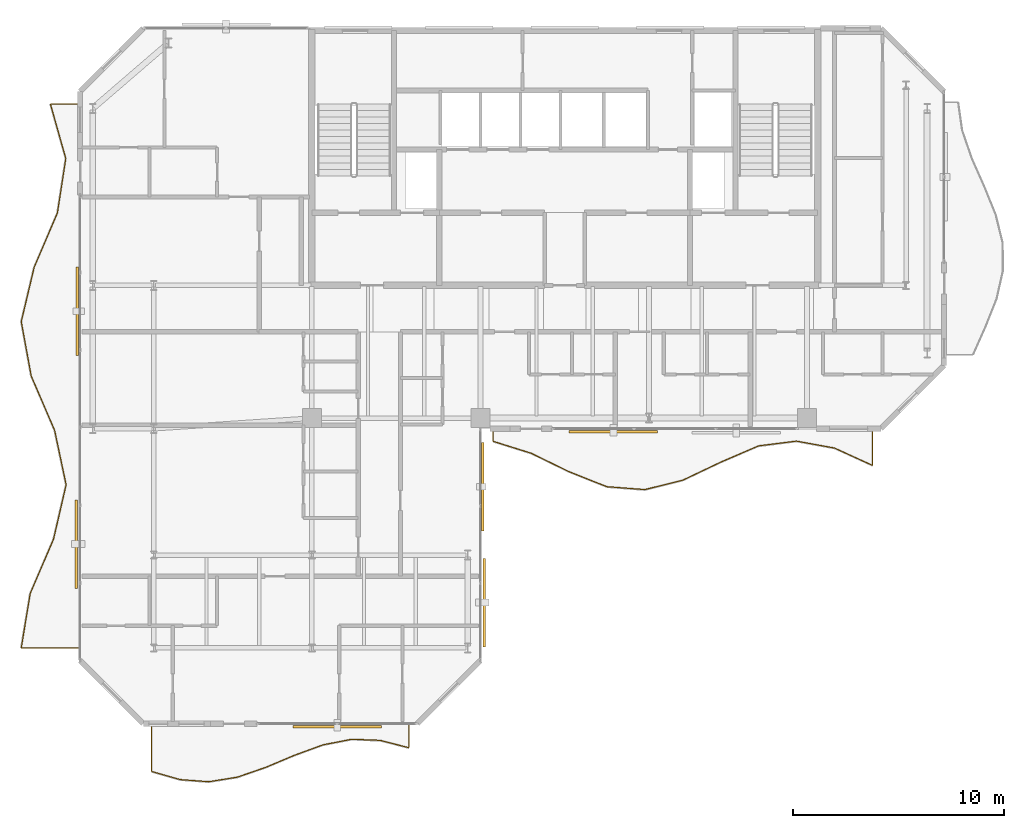
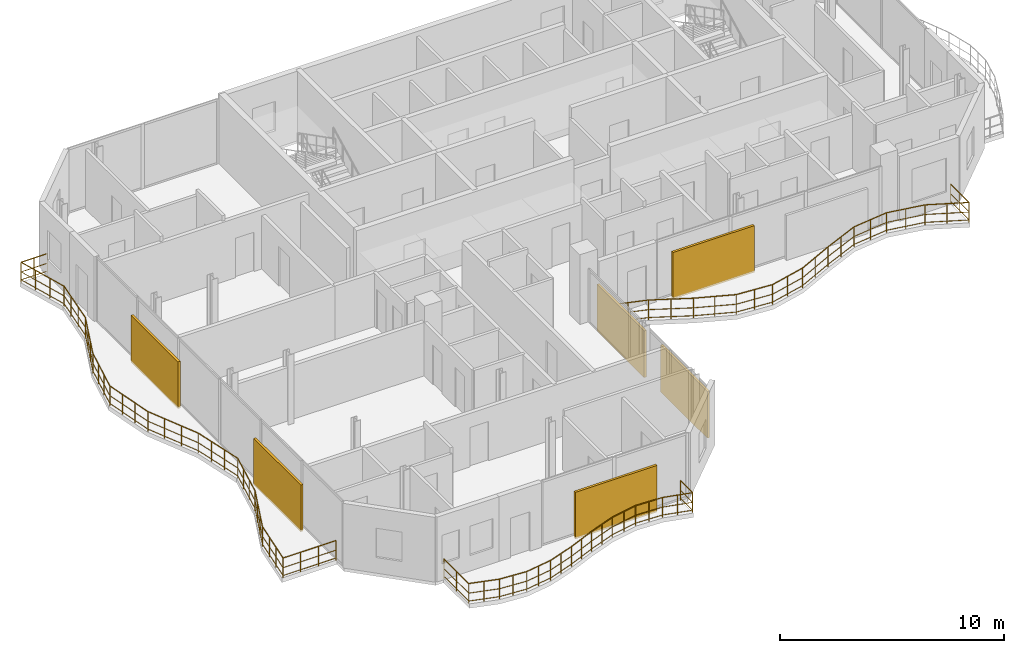
# One storey, part 21 of 22: 6 shading devices, 3 railings.
"""IFC4 building model written with IfcOpenShell, lengths in metres."""

from ifc_helpers import new_model, si_unit, direction, frame, origin, origin_2d, place, context, subcontext, project, spatial, rectangle, circle, extrude, material, type_object, element, save


model = new_model("IFC4")

# Units and contexts
model_context = context("Model", 3, precision=1e-05, world=origin(), true_north=direction((0.0, 1.0)))
body_context = subcontext(model_context, "Body", "Model", "MODEL_VIEW")
ifc_project = project(units=[si_unit("LENGTHUNIT", "METRE"), si_unit("AREAUNIT", "SQUARE_METRE"), si_unit("VOLUMEUNIT", "CUBIC_METRE"), si_unit("PLANEANGLEUNIT", "RADIAN"), si_unit("MASSUNIT", "GRAM", prefix="KILO")], contexts=[model_context])

# Site, building, storey
site_placement = place(None, origin())
site = spatial("IfcSite", under=ifc_project, at=site_placement, CompositionType="ELEMENT")
building_placement = place(site_placement, origin())
building = spatial("IfcBuilding", under=site, at=building_placement, Name="Catumbela Crestline Tower", CompositionType="ELEMENT")
storey_placement = place(building_placement, frame((0.0, 0.0, 229.8)))
storey = spatial("IfcBuildingStorey", under=building, at=storey_placement, Name="L59", CompositionType="ELEMENT", Elevation=229.8)

# Railings
ifc_material_1 = material(Name="Stainless steel EN 1.4401", Category="steel")
railing_type = type_object("IfcRailingType", Name="RB-1100", PredefinedType="BALUSTRADE", material=ifc_material_1)
railing_1_placement = place(storey_placement, frame((24.6, 23.94, 0.0)))
element("IfcRailing", 1, at=railing_1_placement, inside=storey, type_object=railing_type, Name="L59 Private Wave Balcony Balustrade 1", PredefinedType="BALUSTRADE", context=body_context, shape_type="SweptSolid", body=[
    extrude(circle(Radius=0.024, at=origin_2d()), frame((0.0, 0.0, 1.076), z_axis=(0.0, -1.0, 0.0), x_axis=(1.0, 0.0, 0.0)), (0.0, 0.0, 1.0), 0.5387),
    extrude(circle(Radius=0.0156, at=origin_2d()), frame((0.0, 0.0, 0.55), z_axis=(0.0, -1.0, 0.0), x_axis=(1.0, 0.0, 0.0)), (0.0, 0.0, 1.0), 0.5387),
    extrude(circle(Radius=0.0156, at=origin_2d()), frame((0.0, 0.0, 0.12), z_axis=(0.0, -1.0, 0.0), x_axis=(1.0, 0.0, 0.0)), (0.0, 0.0, 1.0), 0.5387),
    extrude(circle(Radius=0.024, at=origin_2d()), frame((0.0, -0.5387, 1.076), z_axis=(0.954374253933, -0.298613099897, 0.0), x_axis=(0.298613099897, 0.954374253933, 0.0)), (0.0, 0.0, 1.0), 1.8861),
    extrude(circle(Radius=0.0156, at=origin_2d()), frame((0.0, -0.5387, 0.55), z_axis=(0.954374253933, -0.298613099897, 0.0), x_axis=(0.298613099897, 0.954374253933, 0.0)), (0.0, 0.0, 1.0), 1.8861),
    extrude(circle(Radius=0.0156, at=origin_2d()), frame((0.0, -0.5387, 0.12), z_axis=(0.954374253933, -0.298613099897, 0.0), x_axis=(0.298613099897, 0.954374253933, 0.0)), (0.0, 0.0, 1.0), 1.8861),
    extrude(circle(Radius=0.024, at=origin_2d()), frame((1.8, -1.1019, 1.076), z_axis=(0.899073055886, -0.437798629714, 0.0), x_axis=(0.437798629714, 0.899073055886, 0.0)), (0.0, 0.0, 1.0), 2.0021),
    extrude(circle(Radius=0.0156, at=origin_2d()), frame((1.8, -1.1019, 0.55), z_axis=(0.899073055886, -0.437798629714, 0.0), x_axis=(0.437798629714, 0.899073055886, 0.0)), (0.0, 0.0, 1.0), 2.0021),
    extrude(circle(Radius=0.0156, at=origin_2d()), frame((1.8, -1.1019, 0.12), z_axis=(0.899073055886, -0.437798629714, 0.0), x_axis=(0.437798629714, 0.899073055886, 0.0)), (0.0, 0.0, 1.0), 2.0021),
    extrude(circle(Radius=0.024, at=origin_2d()), frame((3.6, -1.9784, 1.076), z_axis=(0.929399644581, -0.369074925526, 0.0), x_axis=(0.369074925526, 0.929399644581, 0.0)), (0.0, 0.0, 1.0), 1.9367),
    extrude(circle(Radius=0.0156, at=origin_2d()), frame((3.6, -1.9784, 0.55), z_axis=(0.929399644581, -0.369074925526, 0.0), x_axis=(0.369074925526, 0.929399644581, 0.0)), (0.0, 0.0, 1.0), 1.9367),
    extrude(circle(Radius=0.0156, at=origin_2d()), frame((3.6, -1.9784, 0.12), z_axis=(0.929399644581, -0.369074925526, 0.0), x_axis=(0.369074925526, 0.929399644581, 0.0)), (0.0, 0.0, 1.0), 1.9367),
    extrude(circle(Radius=0.024, at=origin_2d()), frame((5.4, -2.6932, 1.076), z_axis=(0.9971244509, -0.075781458268, 0.0), x_axis=(0.075781458268, 0.9971244509, 0.0)), (0.0, 0.0, 1.0), 1.8052),
    extrude(circle(Radius=0.0156, at=origin_2d()), frame((5.4, -2.6932, 0.55), z_axis=(0.9971244509, -0.075781458268, 0.0), x_axis=(0.075781458268, 0.9971244509, 0.0)), (0.0, 0.0, 1.0), 1.8052),
    extrude(circle(Radius=0.0156, at=origin_2d()), frame((5.4, -2.6932, 0.12), z_axis=(0.9971244509, -0.075781458268, 0.0), x_axis=(0.075781458268, 0.9971244509, 0.0)), (0.0, 0.0, 1.0), 1.8052),
    extrude(circle(Radius=0.024, at=origin_2d()), frame((7.2, -2.83, 1.076), z_axis=(0.97081135802, 0.239844339395, 0.0), x_axis=(-0.239844339395, 0.97081135802, 0.0)), (0.0, 0.0, 1.0), 1.8541),
    extrude(circle(Radius=0.0156, at=origin_2d()), frame((7.2, -2.83, 0.55), z_axis=(0.97081135802, 0.239844339395, 0.0), x_axis=(-0.239844339395, 0.97081135802, 0.0)), (0.0, 0.0, 1.0), 1.8541),
    extrude(circle(Radius=0.0156, at=origin_2d()), frame((7.2, -2.83, 0.12), z_axis=(0.97081135802, 0.239844339395, 0.0), x_axis=(-0.239844339395, 0.97081135802, 0.0)), (0.0, 0.0, 1.0), 1.8541),
    extrude(circle(Radius=0.024, at=origin_2d()), frame((9.0, -2.3853, 1.076), z_axis=(0.903141340366, 0.429343358306, 0.0), x_axis=(-0.429343358306, 0.903141340366, 0.0)), (0.0, 0.0, 1.0), 1.993),
    extrude(circle(Radius=0.0156, at=origin_2d()), frame((9.0, -2.3853, 0.55), z_axis=(0.903141340366, 0.429343358306, 0.0), x_axis=(-0.429343358306, 0.903141340366, 0.0)), (0.0, 0.0, 1.0), 1.993),
    extrude(circle(Radius=0.0156, at=origin_2d()), frame((9.0, -2.3853, 0.12), z_axis=(0.903141340366, 0.429343358306, 0.0), x_axis=(-0.429343358306, 0.903141340366, 0.0)), (0.0, 0.0, 1.0), 1.993),
    extrude(circle(Radius=0.024, at=origin_2d()), frame((10.8, -1.5296, 1.076), z_axis=(0.91863214227, 0.395113891414, 0.0), x_axis=(-0.395113891414, 0.91863214227, 0.0)), (0.0, 0.0, 1.0), 1.9594),
    extrude(circle(Radius=0.0156, at=origin_2d()), frame((10.8, -1.5296, 0.55), z_axis=(0.91863214227, 0.395113891414, 0.0), x_axis=(-0.395113891414, 0.91863214227, 0.0)), (0.0, 0.0, 1.0), 1.9594),
    extrude(circle(Radius=0.0156, at=origin_2d()), frame((10.8, -1.5296, 0.12), z_axis=(0.91863214227, 0.395113891414, 0.0), x_axis=(-0.395113891414, 0.91863214227, 0.0)), (0.0, 0.0, 1.0), 1.9594),
    extrude(circle(Radius=0.024, at=origin_2d()), frame((12.6, -0.7554, 1.076), z_axis=(0.992250714481, 0.124251839469, 0.0), x_axis=(-0.124251839469, 0.992250714481, 0.0)), (0.0, 0.0, 1.0), 1.8141),
    extrude(circle(Radius=0.0156, at=origin_2d()), frame((12.6, -0.7554, 0.55), z_axis=(0.992250714481, 0.124251839469, 0.0), x_axis=(-0.124251839469, 0.992250714481, 0.0)), (0.0, 0.0, 1.0), 1.8141),
    extrude(circle(Radius=0.0156, at=origin_2d()), frame((12.6, -0.7554, 0.12), z_axis=(0.992250714481, 0.124251839469, 0.0), x_axis=(-0.124251839469, 0.992250714481, 0.0)), (0.0, 0.0, 1.0), 1.8141),
    extrude(circle(Radius=0.024, at=origin_2d()), frame((14.4, -0.53, 1.076), z_axis=(0.983751645667, -0.179534675334, 0.0), x_axis=(0.179534675334, 0.983751645667, 0.0)), (0.0, 0.0, 1.0), 1.8297),
    extrude(circle(Radius=0.0156, at=origin_2d()), frame((14.4, -0.53, 0.55), z_axis=(0.983751645667, -0.179534675334, 0.0), x_axis=(0.179534675334, 0.983751645667, 0.0)), (0.0, 0.0, 1.0), 1.8297),
    extrude(circle(Radius=0.0156, at=origin_2d()), frame((14.4, -0.53, 0.12), z_axis=(0.983751645667, -0.179534675334, 0.0), x_axis=(0.179534675334, 0.983751645667, 0.0)), (0.0, 0.0, 1.0), 1.8297),
    extrude(circle(Radius=0.024, at=origin_2d()), frame((16.2, -0.8585, 1.076), z_axis=(0.909733657009, -0.415192332907, 0.0), x_axis=(0.415192332907, 0.909733657009, 0.0)), (0.0, 0.0, 1.0), 1.9786),
    extrude(circle(Radius=0.0156, at=origin_2d()), frame((16.2, -0.8585, 0.55), z_axis=(0.909733657009, -0.415192332907, 0.0), x_axis=(0.415192332907, 0.909733657009, 0.0)), (0.0, 0.0, 1.0), 1.9786),
    extrude(circle(Radius=0.0156, at=origin_2d()), frame((16.2, -0.8585, 0.12), z_axis=(0.909733657009, -0.415192332907, 0.0), x_axis=(0.415192332907, 0.909733657009, 0.0)), (0.0, 0.0, 1.0), 1.9786),
    extrude(circle(Radius=0.024, at=origin_2d()), frame((18.0, -1.68, 1.076), z_axis=(0.0, 1.0, 0.0), x_axis=(-1.0, 0.0, 0.0)), (0.0, 0.0, 1.0), 1.68),
    extrude(circle(Radius=0.0156, at=origin_2d()), frame((18.0, -1.68, 0.55), z_axis=(0.0, 1.0, 0.0), x_axis=(-1.0, 0.0, 0.0)), (0.0, 0.0, 1.0), 1.68),
    extrude(circle(Radius=0.0156, at=origin_2d()), frame((18.0, -1.68, 0.12), z_axis=(0.0, 1.0, 0.0), x_axis=(-1.0, 0.0, 0.0)), (0.0, 0.0, 1.0), 1.68),
    extrude(circle(Radius=0.021, at=origin_2d()), origin(), (0.0, 0.0, 1.0), 1.052),
    extrude(circle(Radius=0.021, at=origin_2d()), frame((0.0, -0.5387, 0.0)), (0.0, 0.0, 1.0), 1.052),
    extrude(circle(Radius=0.021, at=origin_2d()), frame((0.9, -0.8203, 0.0)), (0.0, 0.0, 1.0), 1.052),
    extrude(circle(Radius=0.021, at=origin_2d()), frame((1.8, -1.1019, 0.0)), (0.0, 0.0, 1.0), 1.052),
    extrude(circle(Radius=0.021, at=origin_2d()), frame((2.7, -1.5402, 0.0)), (0.0, 0.0, 1.0), 1.052),
    extrude(circle(Radius=0.021, at=origin_2d()), frame((3.6, -1.9784, 0.0)), (0.0, 0.0, 1.0), 1.052),
    extrude(circle(Radius=0.021, at=origin_2d()), frame((4.5, -2.3358, 0.0)), (0.0, 0.0, 1.0), 1.052),
    extrude(circle(Radius=0.021, at=origin_2d()), frame((5.4, -2.6932, 0.0)), (0.0, 0.0, 1.0), 1.052),
    extrude(circle(Radius=0.021, at=origin_2d()), frame((6.3, -2.7616, 0.0)), (0.0, 0.0, 1.0), 1.052),
    extrude(circle(Radius=0.021, at=origin_2d()), frame((7.2, -2.83, 0.0)), (0.0, 0.0, 1.0), 1.052),
    extrude(circle(Radius=0.021, at=origin_2d()), frame((8.1, -2.6077, 0.0)), (0.0, 0.0, 1.0), 1.052),
    extrude(circle(Radius=0.021, at=origin_2d()), frame((9.0, -2.3853, 0.0)), (0.0, 0.0, 1.0), 1.052),
    extrude(circle(Radius=0.021, at=origin_2d()), frame((9.9, -1.9575, 0.0)), (0.0, 0.0, 1.0), 1.052),
    extrude(circle(Radius=0.021, at=origin_2d()), frame((10.8, -1.5296, 0.0)), (0.0, 0.0, 1.0), 1.052),
    extrude(circle(Radius=0.021, at=origin_2d()), frame((11.7, -1.1425, 0.0)), (0.0, 0.0, 1.0), 1.052),
    extrude(circle(Radius=0.021, at=origin_2d()), frame((12.6, -0.7554, 0.0)), (0.0, 0.0, 1.0), 1.052),
    extrude(circle(Radius=0.021, at=origin_2d()), frame((13.5, -0.6427, 0.0)), (0.0, 0.0, 1.0), 1.052),
    extrude(circle(Radius=0.021, at=origin_2d()), frame((14.4, -0.53, 0.0)), (0.0, 0.0, 1.0), 1.052),
    extrude(circle(Radius=0.021, at=origin_2d()), frame((15.3, -0.6943, 0.0)), (0.0, 0.0, 1.0), 1.052),
    extrude(circle(Radius=0.021, at=origin_2d()), frame((16.2, -0.8585, 0.0)), (0.0, 0.0, 1.0), 1.052),
    extrude(circle(Radius=0.021, at=origin_2d()), frame((17.1, -1.2693, 0.0)), (0.0, 0.0, 1.0), 1.052),
    extrude(circle(Radius=0.021, at=origin_2d()), frame((18.0, -1.68, 0.0)), (0.0, 0.0, 1.0), 1.052),
    extrude(circle(Radius=0.021, at=origin_2d()), frame((18.0, -0.84, 0.0)), (0.0, 0.0, 1.0), 1.052),
    extrude(circle(Radius=0.021, at=origin_2d()), frame((18.0, 0.0, 0.0)), (0.0, 0.0, 1.0), 1.052),
])
railing_2_placement = place(storey_placement, frame((8.4, 9.94, 0.0)))
element("IfcRailing", 2, at=railing_2_placement, inside=storey, type_object=railing_type, Name="L59 Private Wave Balcony Balustrade 3", PredefinedType="BALUSTRADE", context=body_context, shape_type="SweptSolid", body=[
    extrude(circle(Radius=0.024, at=origin_2d()), frame((0.0, 0.0, 1.076), z_axis=(0.0, -1.0, 0.0), x_axis=(1.0, 0.0, 0.0)), (0.0, 0.0, 1.0), 2.2074),
    extrude(circle(Radius=0.0156, at=origin_2d()), frame((0.0, 0.0, 0.55), z_axis=(0.0, -1.0, 0.0), x_axis=(1.0, 0.0, 0.0)), (0.0, 0.0, 1.0), 2.2074),
    extrude(circle(Radius=0.0156, at=origin_2d()), frame((0.0, 0.0, 0.12), z_axis=(0.0, -1.0, 0.0), x_axis=(1.0, 0.0, 0.0)), (0.0, 0.0, 1.0), 2.2074),
    extrude(circle(Radius=0.024, at=origin_2d()), frame((0.0, -2.2074, 1.076), z_axis=(0.961638970594, -0.274318228038, 0.0), x_axis=(0.274318228038, 0.961638970594, 0.0)), (0.0, 0.0, 1.0), 1.4097),
    extrude(circle(Radius=0.0156, at=origin_2d()), frame((0.0, -2.2074, 0.55), z_axis=(0.961638970594, -0.274318228038, 0.0), x_axis=(0.274318228038, 0.961638970594, 0.0)), (0.0, 0.0, 1.0), 1.4097),
    extrude(circle(Radius=0.0156, at=origin_2d()), frame((0.0, -2.2074, 0.12), z_axis=(0.961638970594, -0.274318228038, 0.0), x_axis=(0.274318228038, 0.961638970594, 0.0)), (0.0, 0.0, 1.0), 1.4097),
    extrude(circle(Radius=0.024, at=origin_2d()), frame((1.3556, -2.5941, 1.076), z_axis=(0.997295187755, -0.073500397829, 0.0), x_axis=(0.073500397829, 0.997295187755, 0.0)), (0.0, 0.0, 1.0), 1.3592),
    extrude(circle(Radius=0.0156, at=origin_2d()), frame((1.3556, -2.5941, 0.55), z_axis=(0.997295187755, -0.073500397829, 0.0), x_axis=(0.073500397829, 0.997295187755, 0.0)), (0.0, 0.0, 1.0), 1.3592),
    extrude(circle(Radius=0.0156, at=origin_2d()), frame((1.3556, -2.5941, 0.12), z_axis=(0.997295187755, -0.073500397829, 0.0), x_axis=(0.073500397829, 0.997295187755, 0.0)), (0.0, 0.0, 1.0), 1.3592),
    extrude(circle(Radius=0.024, at=origin_2d()), frame((2.7111, -2.694, 1.076), z_axis=(0.987280607488, 0.158987427423, 0.0), x_axis=(-0.158987427423, 0.987280607488, 0.0)), (0.0, 0.0, 1.0), 1.3731),
    extrude(circle(Radius=0.0156, at=origin_2d()), frame((2.7111, -2.694, 0.55), z_axis=(0.987280607488, 0.158987427423, 0.0), x_axis=(-0.158987427423, 0.987280607488, 0.0)), (0.0, 0.0, 1.0), 1.3731),
    extrude(circle(Radius=0.0156, at=origin_2d()), frame((2.7111, -2.694, 0.12), z_axis=(0.987280607488, 0.158987427423, 0.0), x_axis=(-0.158987427423, 0.987280607488, 0.0)), (0.0, 0.0, 1.0), 1.3731),
    extrude(circle(Radius=0.024, at=origin_2d()), frame((4.0667, -2.4757, 1.076), z_axis=(0.945225416376, 0.326418308673, 0.0), x_axis=(-0.326418308673, 0.945225416376, 0.0)), (0.0, 0.0, 1.0), 1.434),
    extrude(circle(Radius=0.0156, at=origin_2d()), frame((4.0667, -2.4757, 0.55), z_axis=(0.945225416376, 0.326418308673, 0.0), x_axis=(-0.326418308673, 0.945225416376, 0.0)), (0.0, 0.0, 1.0), 1.434),
    extrude(circle(Radius=0.0156, at=origin_2d()), frame((4.0667, -2.4757, 0.12), z_axis=(0.945225416376, 0.326418308673, 0.0), x_axis=(-0.326418308673, 0.945225416376, 0.0)), (0.0, 0.0, 1.0), 1.434),
    extrude(circle(Radius=0.024, at=origin_2d()), frame((5.4222, -2.0076, 1.076), z_axis=(0.92160593894, 0.388126903615, 0.0), x_axis=(-0.388126903615, 0.92160593894, 0.0)), (0.0, 0.0, 1.0), 1.4709),
    extrude(circle(Radius=0.0156, at=origin_2d()), frame((5.4222, -2.0076, 0.55), z_axis=(0.92160593894, 0.388126903615, 0.0), x_axis=(-0.388126903615, 0.92160593894, 0.0)), (0.0, 0.0, 1.0), 1.4709),
    extrude(circle(Radius=0.0156, at=origin_2d()), frame((5.4222, -2.0076, 0.12), z_axis=(0.92160593894, 0.388126903615, 0.0), x_axis=(-0.388126903615, 0.92160593894, 0.0)), (0.0, 0.0, 1.0), 1.4709),
    extrude(circle(Radius=0.024, at=origin_2d()), frame((6.7778, -1.4367, 1.076), z_axis=(0.939438802218, 0.342716700625, 0.0), x_axis=(-0.342716700625, 0.939438802218, 0.0)), (0.0, 0.0, 1.0), 1.4429),
    extrude(circle(Radius=0.0156, at=origin_2d()), frame((6.7778, -1.4367, 0.55), z_axis=(0.939438802218, 0.342716700625, 0.0), x_axis=(-0.342716700625, 0.939438802218, 0.0)), (0.0, 0.0, 1.0), 1.4429),
    extrude(circle(Radius=0.0156, at=origin_2d()), frame((6.7778, -1.4367, 0.12), z_axis=(0.939438802218, 0.342716700625, 0.0), x_axis=(-0.342716700625, 0.939438802218, 0.0)), (0.0, 0.0, 1.0), 1.4429),
    extrude(circle(Radius=0.024, at=origin_2d()), frame((8.1333, -0.9422, 1.076), z_axis=(0.981695205488, 0.190458718681, 0.0), x_axis=(-0.190458718681, 0.981695205488, 0.0)), (0.0, 0.0, 1.0), 1.3809),
    extrude(circle(Radius=0.0156, at=origin_2d()), frame((8.1333, -0.9422, 0.55), z_axis=(0.981695205488, 0.190458718681, 0.0), x_axis=(-0.190458718681, 0.981695205488, 0.0)), (0.0, 0.0, 1.0), 1.3809),
    extrude(circle(Radius=0.0156, at=origin_2d()), frame((8.1333, -0.9422, 0.12), z_axis=(0.981695205488, 0.190458718681, 0.0), x_axis=(-0.190458718681, 0.981695205488, 0.0)), (0.0, 0.0, 1.0), 1.3809),
    extrude(circle(Radius=0.024, at=origin_2d()), frame((9.4889, -0.6792, 1.076), z_axis=(0.999290176847, -0.03767150722, 0.0), x_axis=(0.03767150722, 0.999290176847, 0.0)), (0.0, 0.0, 1.0), 1.3565),
    extrude(circle(Radius=0.0156, at=origin_2d()), frame((9.4889, -0.6792, 0.55), z_axis=(0.999290176847, -0.03767150722, 0.0), x_axis=(0.03767150722, 0.999290176847, 0.0)), (0.0, 0.0, 1.0), 1.3565),
    extrude(circle(Radius=0.0156, at=origin_2d()), frame((9.4889, -0.6792, 0.12), z_axis=(0.999290176847, -0.03767150722, 0.0), x_axis=(0.03767150722, 0.999290176847, 0.0)), (0.0, 0.0, 1.0), 1.3565),
    extrude(circle(Radius=0.024, at=origin_2d()), frame((10.8444, -0.7303, 1.076), z_axis=(0.968386510781, -0.249454536415, 0.0), x_axis=(0.249454536415, 0.968386510781, 0.0)), (0.0, 0.0, 1.0), 1.3999),
    extrude(circle(Radius=0.0156, at=origin_2d()), frame((10.8444, -0.7303, 0.55), z_axis=(0.968386510781, -0.249454536415, 0.0), x_axis=(0.249454536415, 0.968386510781, 0.0)), (0.0, 0.0, 1.0), 1.3999),
    extrude(circle(Radius=0.0156, at=origin_2d()), frame((10.8444, -0.7303, 0.12), z_axis=(0.968386510781, -0.249454536415, 0.0), x_axis=(0.249454536415, 0.968386510781, 0.0)), (0.0, 0.0, 1.0), 1.3999),
    extrude(circle(Radius=0.024, at=origin_2d()), frame((12.2, -1.0795, 1.076), z_axis=(0.0, 1.0, 0.0), x_axis=(-1.0, 0.0, 0.0)), (0.0, 0.0, 1.0), 1.0795),
    extrude(circle(Radius=0.0156, at=origin_2d()), frame((12.2, -1.0795, 0.55), z_axis=(0.0, 1.0, 0.0), x_axis=(-1.0, 0.0, 0.0)), (0.0, 0.0, 1.0), 1.0795),
    extrude(circle(Radius=0.0156, at=origin_2d()), frame((12.2, -1.0795, 0.12), z_axis=(0.0, 1.0, 0.0), x_axis=(-1.0, 0.0, 0.0)), (0.0, 0.0, 1.0), 1.0795),
    extrude(circle(Radius=0.021, at=origin_2d()), origin(), (0.0, 0.0, 1.0), 1.052),
    extrude(circle(Radius=0.021, at=origin_2d()), frame((0.0, -1.1037, 0.0)), (0.0, 0.0, 1.0), 1.052),
    extrude(circle(Radius=0.021, at=origin_2d()), frame((0.0, -2.2074, 0.0)), (0.0, 0.0, 1.0), 1.052),
    extrude(circle(Radius=0.021, at=origin_2d()), frame((0.6778, -2.4007, 0.0)), (0.0, 0.0, 1.0), 1.052),
    extrude(circle(Radius=0.021, at=origin_2d()), frame((1.3556, -2.5941, 0.0)), (0.0, 0.0, 1.0), 1.052),
    extrude(circle(Radius=0.021, at=origin_2d()), frame((2.0333, -2.644, 0.0)), (0.0, 0.0, 1.0), 1.052),
    extrude(circle(Radius=0.021, at=origin_2d()), frame((2.7111, -2.694, 0.0)), (0.0, 0.0, 1.0), 1.052),
    extrude(circle(Radius=0.021, at=origin_2d()), frame((3.3889, -2.5848, 0.0)), (0.0, 0.0, 1.0), 1.052),
    extrude(circle(Radius=0.021, at=origin_2d()), frame((4.0667, -2.4757, 0.0)), (0.0, 0.0, 1.0), 1.052),
    extrude(circle(Radius=0.021, at=origin_2d()), frame((4.7444, -2.2416, 0.0)), (0.0, 0.0, 1.0), 1.052),
    extrude(circle(Radius=0.021, at=origin_2d()), frame((5.4222, -2.0076, 0.0)), (0.0, 0.0, 1.0), 1.052),
    extrude(circle(Radius=0.021, at=origin_2d()), frame((6.1, -1.7221, 0.0)), (0.0, 0.0, 1.0), 1.052),
    extrude(circle(Radius=0.021, at=origin_2d()), frame((6.7778, -1.4367, 0.0)), (0.0, 0.0, 1.0), 1.052),
    extrude(circle(Radius=0.021, at=origin_2d()), frame((7.4556, -1.1894, 0.0)), (0.0, 0.0, 1.0), 1.052),
    extrude(circle(Radius=0.021, at=origin_2d()), frame((8.1333, -0.9422, 0.0)), (0.0, 0.0, 1.0), 1.052),
    extrude(circle(Radius=0.021, at=origin_2d()), frame((8.8111, -0.8107, 0.0)), (0.0, 0.0, 1.0), 1.052),
    extrude(circle(Radius=0.021, at=origin_2d()), frame((9.4889, -0.6792, 0.0)), (0.0, 0.0, 1.0), 1.052),
    extrude(circle(Radius=0.021, at=origin_2d()), frame((10.1666, -0.7047, 0.0)), (0.0, 0.0, 1.0), 1.052),
    extrude(circle(Radius=0.021, at=origin_2d()), frame((10.8444, -0.7303, 0.0)), (0.0, 0.0, 1.0), 1.052),
    extrude(circle(Radius=0.021, at=origin_2d()), frame((11.5222, -0.9049, 0.0)), (0.0, 0.0, 1.0), 1.052),
    extrude(circle(Radius=0.021, at=origin_2d()), frame((12.2, -1.0795, 0.0)), (0.0, 0.0, 1.0), 1.052),
    extrude(circle(Radius=0.021, at=origin_2d()), frame((12.2, 0.0, 0.0)), (0.0, 0.0, 1.0), 1.052),
])
railing_3_placement = place(storey_placement, frame((4.94, 39.4, 0.0)))
element("IfcRailing", 3, at=railing_3_placement, inside=storey, type_object=railing_type, Name="L59 Private Wave Balcony Balustrade 4", PredefinedType="BALUSTRADE", context=body_context, shape_type="SweptSolid", body=[
    extrude(circle(Radius=0.024, at=origin_2d()), frame((0.0, 0.0, 1.076), z_axis=(-1.0, 0.0, 0.0), x_axis=(0.0, -1.0, 0.0)), (0.0, 0.0, 1.0), 1.3444),
    extrude(circle(Radius=0.0156, at=origin_2d()), frame((0.0, 0.0, 0.55), z_axis=(-1.0, 0.0, 0.0), x_axis=(0.0, -1.0, 0.0)), (0.0, 0.0, 1.0), 1.3444),
    extrude(circle(Radius=0.0156, at=origin_2d()), frame((0.0, 0.0, 0.12), z_axis=(-1.0, 0.0, 0.0), x_axis=(0.0, -1.0, 0.0)), (0.0, 0.0, 1.0), 1.3444),
    extrude(circle(Radius=0.024, at=origin_2d()), frame((-1.3444, 0.0, 1.076), z_axis=(0.271601035505, -0.962409932156, 0.0), x_axis=(0.962409932156, 0.271601035505, 0.0)), (0.0, 0.0, 1.0), 2.6808),
    extrude(circle(Radius=0.0156, at=origin_2d()), frame((-1.3444, 0.0, 0.55), z_axis=(0.271601035505, -0.962409932156, 0.0), x_axis=(0.962409932156, 0.271601035505, 0.0)), (0.0, 0.0, 1.0), 2.6808),
    extrude(circle(Radius=0.0156, at=origin_2d()), frame((-1.3444, 0.0, 0.12), z_axis=(0.271601035505, -0.962409932156, 0.0), x_axis=(0.962409932156, 0.271601035505, 0.0)), (0.0, 0.0, 1.0), 2.6808),
    extrude(circle(Radius=0.024, at=origin_2d()), frame((-0.6163, -2.58, 1.076), z_axis=(-0.152422749133, -0.988315387691, 0.0), x_axis=(0.988315387691, -0.152422749133, 0.0)), (0.0, 0.0, 1.0), 2.6105),
    extrude(circle(Radius=0.0156, at=origin_2d()), frame((-0.6163, -2.58, 0.55), z_axis=(-0.152422749133, -0.988315387691, 0.0), x_axis=(0.988315387691, -0.152422749133, 0.0)), (0.0, 0.0, 1.0), 2.6105),
    extrude(circle(Radius=0.0156, at=origin_2d()), frame((-0.6163, -2.58, 0.12), z_axis=(-0.152422749133, -0.988315387691, 0.0), x_axis=(0.988315387691, -0.152422749133, 0.0)), (0.0, 0.0, 1.0), 2.6105),
    extrude(circle(Radius=0.024, at=origin_2d()), frame((-1.0142, -5.16, 1.076), z_axis=(-0.393011494217, -0.919533558612, 0.0), x_axis=(0.919533558612, -0.393011494217, 0.0)), (0.0, 0.0, 1.0), 2.8058),
    extrude(circle(Radius=0.0156, at=origin_2d()), frame((-1.0142, -5.16, 0.55), z_axis=(-0.393011494217, -0.919533558612, 0.0), x_axis=(0.919533558612, -0.393011494217, 0.0)), (0.0, 0.0, 1.0), 2.8058),
    extrude(circle(Radius=0.0156, at=origin_2d()), frame((-1.0142, -5.16, 0.12), z_axis=(-0.393011494217, -0.919533558612, 0.0), x_axis=(0.919533558612, -0.393011494217, 0.0)), (0.0, 0.0, 1.0), 2.8058),
    extrude(circle(Radius=0.024, at=origin_2d()), frame((-2.1169, -7.74, 1.076), z_axis=(-0.231197365193, -0.972906870326, 0.0), x_axis=(0.972906870326, -0.231197365193, 0.0)), (0.0, 0.0, 1.0), 2.6518),
    extrude(circle(Radius=0.0156, at=origin_2d()), frame((-2.1169, -7.74, 0.55), z_axis=(-0.231197365193, -0.972906870326, 0.0), x_axis=(0.972906870326, -0.231197365193, 0.0)), (0.0, 0.0, 1.0), 2.6518),
    extrude(circle(Radius=0.0156, at=origin_2d()), frame((-2.1169, -7.74, 0.12), z_axis=(-0.231197365193, -0.972906870326, 0.0), x_axis=(0.972906870326, -0.231197365193, 0.0)), (0.0, 0.0, 1.0), 2.6518),
    extrude(circle(Radius=0.024, at=origin_2d()), frame((-2.73, -10.32, 1.076), z_axis=(0.180290983918, -0.9836133189, 0.0), x_axis=(0.9836133189, 0.180290983918, 0.0)), (0.0, 0.0, 1.0), 2.623),
    extrude(circle(Radius=0.0156, at=origin_2d()), frame((-2.73, -10.32, 0.55), z_axis=(0.180290983918, -0.9836133189, 0.0), x_axis=(0.9836133189, 0.180290983918, 0.0)), (0.0, 0.0, 1.0), 2.623),
    extrude(circle(Radius=0.0156, at=origin_2d()), frame((-2.73, -10.32, 0.12), z_axis=(0.180290983918, -0.9836133189, 0.0), x_axis=(0.9836133189, 0.180290983918, 0.0)), (0.0, 0.0, 1.0), 2.623),
    extrude(circle(Radius=0.024, at=origin_2d()), frame((-2.2571, -12.9, 1.076), z_axis=(0.395478371758, -0.918475289527, 0.0), x_axis=(0.918475289527, 0.395478371758, 0.0)), (0.0, 0.0, 1.0), 2.809),
    extrude(circle(Radius=0.0156, at=origin_2d()), frame((-2.2571, -12.9, 0.55), z_axis=(0.395478371758, -0.918475289527, 0.0), x_axis=(0.918475289527, 0.395478371758, 0.0)), (0.0, 0.0, 1.0), 2.809),
    extrude(circle(Radius=0.0156, at=origin_2d()), frame((-2.2571, -12.9, 0.12), z_axis=(0.395478371758, -0.918475289527, 0.0), x_axis=(0.918475289527, 0.395478371758, 0.0)), (0.0, 0.0, 1.0), 2.809),
    extrude(circle(Radius=0.024, at=origin_2d()), frame((-1.1462, -15.48, 1.076), z_axis=(0.206969759104, -0.978347340578, 0.0), x_axis=(0.978347340578, 0.206969759104, 0.0)), (0.0, 0.0, 1.0), 2.6371),
    extrude(circle(Radius=0.0156, at=origin_2d()), frame((-1.1462, -15.48, 0.55), z_axis=(0.206969759104, -0.978347340578, 0.0), x_axis=(0.978347340578, 0.206969759104, 0.0)), (0.0, 0.0, 1.0), 2.6371),
    extrude(circle(Radius=0.0156, at=origin_2d()), frame((-1.1462, -15.48, 0.12), z_axis=(0.206969759104, -0.978347340578, 0.0), x_axis=(0.978347340578, 0.206969759104, 0.0)), (0.0, 0.0, 1.0), 2.6371),
    extrude(circle(Radius=0.024, at=origin_2d()), frame((-0.6004, -18.06, 1.076), z_axis=(-0.225474466717, -0.974249077423, 0.0), x_axis=(0.974249077423, -0.225474466717, 0.0)), (0.0, 0.0, 1.0), 2.6482),
    extrude(circle(Radius=0.0156, at=origin_2d()), frame((-0.6004, -18.06, 0.55), z_axis=(-0.225474466717, -0.974249077423, 0.0), x_axis=(0.974249077423, -0.225474466717, 0.0)), (0.0, 0.0, 1.0), 2.6482),
    extrude(circle(Radius=0.0156, at=origin_2d()), frame((-0.6004, -18.06, 0.12), z_axis=(-0.225474466717, -0.974249077423, 0.0), x_axis=(0.974249077423, -0.225474466717, 0.0)), (0.0, 0.0, 1.0), 2.6482),
    extrude(circle(Radius=0.024, at=origin_2d()), frame((-1.1975, -20.64, 1.076), z_axis=(-0.394546773673, -0.918875858527, 0.0), x_axis=(0.918875858527, -0.394546773673, 0.0)), (0.0, 0.0, 1.0), 2.8078),
    extrude(circle(Radius=0.0156, at=origin_2d()), frame((-1.1975, -20.64, 0.55), z_axis=(-0.394546773673, -0.918875858527, 0.0), x_axis=(0.918875858527, -0.394546773673, 0.0)), (0.0, 0.0, 1.0), 2.8078),
    extrude(circle(Radius=0.0156, at=origin_2d()), frame((-1.1975, -20.64, 0.12), z_axis=(-0.394546773673, -0.918875858527, 0.0), x_axis=(0.918875858527, -0.394546773673, 0.0)), (0.0, 0.0, 1.0), 2.8078),
    extrude(circle(Radius=0.024, at=origin_2d()), frame((-2.3053, -23.22, 1.076), z_axis=(-0.162426457776, -0.98672065237, 0.0), x_axis=(0.98672065237, -0.162426457776, 0.0)), (0.0, 0.0, 1.0), 2.6147),
    extrude(circle(Radius=0.0156, at=origin_2d()), frame((-2.3053, -23.22, 0.55), z_axis=(-0.162426457776, -0.98672065237, 0.0), x_axis=(0.98672065237, -0.162426457776, 0.0)), (0.0, 0.0, 1.0), 2.6147),
    extrude(circle(Radius=0.0156, at=origin_2d()), frame((-2.3053, -23.22, 0.12), z_axis=(-0.162426457776, -0.98672065237, 0.0), x_axis=(0.98672065237, -0.162426457776, 0.0)), (0.0, 0.0, 1.0), 2.6147),
    extrude(circle(Radius=0.024, at=origin_2d()), frame((-2.73, -25.8, 1.076), z_axis=(1.0, 0.0, 0.0), x_axis=(0.0, 1.0, 0.0)), (0.0, 0.0, 1.0), 2.73),
    extrude(circle(Radius=0.0156, at=origin_2d()), frame((-2.73, -25.8, 0.55), z_axis=(1.0, 0.0, 0.0), x_axis=(0.0, 1.0, 0.0)), (0.0, 0.0, 1.0), 2.73),
    extrude(circle(Radius=0.0156, at=origin_2d()), frame((-2.73, -25.8, 0.12), z_axis=(1.0, 0.0, 0.0), x_axis=(0.0, 1.0, 0.0)), (0.0, 0.0, 1.0), 2.73),
    extrude(circle(Radius=0.021, at=origin_2d()), origin(), (0.0, 0.0, 1.0), 1.052),
    extrude(circle(Radius=0.021, at=origin_2d()), frame((-0.6722, 0.0, 0.0)), (0.0, 0.0, 1.0), 1.052),
    extrude(circle(Radius=0.021, at=origin_2d()), frame((-1.3444, 0.0, 0.0)), (0.0, 0.0, 1.0), 1.052),
    extrude(circle(Radius=0.021, at=origin_2d()), frame((-1.1017, -0.86, 0.0)), (0.0, 0.0, 1.0), 1.052),
    extrude(circle(Radius=0.021, at=origin_2d()), frame((-0.859, -1.72, 0.0)), (0.0, 0.0, 1.0), 1.052),
    extrude(circle(Radius=0.021, at=origin_2d()), frame((-0.6163, -2.58, 0.0)), (0.0, 0.0, 1.0), 1.052),
    extrude(circle(Radius=0.021, at=origin_2d()), frame((-0.7489, -3.44, 0.0)), (0.0, 0.0, 1.0), 1.052),
    extrude(circle(Radius=0.021, at=origin_2d()), frame((-0.8816, -4.3, 0.0)), (0.0, 0.0, 1.0), 1.052),
    extrude(circle(Radius=0.021, at=origin_2d()), frame((-1.0142, -5.16, 0.0)), (0.0, 0.0, 1.0), 1.052),
    extrude(circle(Radius=0.021, at=origin_2d()), frame((-1.3818, -6.02, 0.0)), (0.0, 0.0, 1.0), 1.052),
    extrude(circle(Radius=0.021, at=origin_2d()), frame((-1.7493, -6.88, 0.0)), (0.0, 0.0, 1.0), 1.052),
    extrude(circle(Radius=0.021, at=origin_2d()), frame((-2.1169, -7.74, 0.0)), (0.0, 0.0, 1.0), 1.052),
    extrude(circle(Radius=0.021, at=origin_2d()), frame((-2.3213, -8.6, 0.0)), (0.0, 0.0, 1.0), 1.052),
    extrude(circle(Radius=0.021, at=origin_2d()), frame((-2.5256, -9.46, 0.0)), (0.0, 0.0, 1.0), 1.052),
    extrude(circle(Radius=0.021, at=origin_2d()), frame((-2.73, -10.32, 0.0)), (0.0, 0.0, 1.0), 1.052),
    extrude(circle(Radius=0.021, at=origin_2d()), frame((-2.5724, -11.18, 0.0)), (0.0, 0.0, 1.0), 1.052),
    extrude(circle(Radius=0.021, at=origin_2d()), frame((-2.4147, -12.04, 0.0)), (0.0, 0.0, 1.0), 1.052),
    extrude(circle(Radius=0.021, at=origin_2d()), frame((-2.2571, -12.9, 0.0)), (0.0, 0.0, 1.0), 1.052),
    extrude(circle(Radius=0.021, at=origin_2d()), frame((-1.8868, -13.76, 0.0)), (0.0, 0.0, 1.0), 1.052),
    extrude(circle(Radius=0.021, at=origin_2d()), frame((-1.5165, -14.62, 0.0)), (0.0, 0.0, 1.0), 1.052),
    extrude(circle(Radius=0.021, at=origin_2d()), frame((-1.1462, -15.48, 0.0)), (0.0, 0.0, 1.0), 1.052),
    extrude(circle(Radius=0.021, at=origin_2d()), frame((-0.9643, -16.34, 0.0)), (0.0, 0.0, 1.0), 1.052),
    extrude(circle(Radius=0.021, at=origin_2d()), frame((-0.7823, -17.2, 0.0)), (0.0, 0.0, 1.0), 1.052),
    extrude(circle(Radius=0.021, at=origin_2d()), frame((-0.6004, -18.06, 0.0)), (0.0, 0.0, 1.0), 1.052),
    extrude(circle(Radius=0.021, at=origin_2d()), frame((-0.7994, -18.92, 0.0)), (0.0, 0.0, 1.0), 1.052),
    extrude(circle(Radius=0.021, at=origin_2d()), frame((-0.9985, -19.78, 0.0)), (0.0, 0.0, 1.0), 1.052),
    extrude(circle(Radius=0.021, at=origin_2d()), frame((-1.1975, -20.64, 0.0)), (0.0, 0.0, 1.0), 1.052),
    extrude(circle(Radius=0.021, at=origin_2d()), frame((-1.5668, -21.5, 0.0)), (0.0, 0.0, 1.0), 1.052),
    extrude(circle(Radius=0.021, at=origin_2d()), frame((-1.936, -22.36, 0.0)), (0.0, 0.0, 1.0), 1.052),
    extrude(circle(Radius=0.021, at=origin_2d()), frame((-2.3053, -23.22, 0.0)), (0.0, 0.0, 1.0), 1.052),
    extrude(circle(Radius=0.021, at=origin_2d()), frame((-2.4469, -24.08, 0.0)), (0.0, 0.0, 1.0), 1.052),
    extrude(circle(Radius=0.021, at=origin_2d()), frame((-2.5884, -24.94, 0.0)), (0.0, 0.0, 1.0), 1.052),
    extrude(circle(Radius=0.021, at=origin_2d()), frame((-2.73, -25.8, 0.0)), (0.0, 0.0, 1.0), 1.052),
    extrude(circle(Radius=0.021, at=origin_2d()), frame((-1.82, -25.8, 0.0)), (0.0, 0.0, 1.0), 1.052),
    extrude(circle(Radius=0.021, at=origin_2d()), frame((-0.91, -25.8, 0.0)), (0.0, 0.0, 1.0), 1.052),
    extrude(circle(Radius=0.021, at=origin_2d()), frame((0.0, -25.8, 0.0)), (0.0, 0.0, 1.0), 1.052),
])

# Shading devices
ifc_material_2 = material(Name="Extruded terracotta ceramic", Category="masonry")
shading_device_type_1 = type_object("IfcShadingDeviceType", Name="ST-180", PredefinedType="USERDEFINED", material=ifc_material_2)
shading_device_placement = place(storey_placement, frame((24.099, 21.25, -0.1), z_axis=(0.0, 0.0, 1.0), x_axis=(0.0, 1.0, 0.0)))
element("IfcShadingDevice", 4, at=shading_device_placement, inside=storey, type_object=shading_device_type_1, Name="L59 Perforated Terracotta Solar Screen 705 (180 mm)", ObjectType="SCREEN", PredefinedType="USERDEFINED", context=body_context, shape_type="SweptSolid", body=[
    extrude(rectangle(XDim=4.2, YDim=0.12, at=origin_2d()), origin(), (0.0, 0.0, 1.0), 2.55),
])
shading_device_type_2 = type_object("IfcShadingDeviceType", Name="ST-260", PredefinedType="USERDEFINED", material=ifc_material_2)
for number, where, z_axis, x_axis, name in (
    (5, (17.2, 9.857, -0.1), (0.0, 0.0, 1.0), (1.0, 0.0, 0.0), "L59 Perforated Terracotta Solar Screen 703 (260 mm)"),
    (6, (30.3125, 23.857, -0.1), (0.0, 0.0, 1.0), (1.0, 0.0, 0.0), "L59 Perforated Terracotta Solar Screen 706 (260 mm)"),
    (7, (4.857, 29.575, -0.1), (0.0, 0.0, 1.0), (0.0, -1.0, 0.0), "L59 Perforated Terracotta Solar Screen 710 (260 mm)"),
):
    element("IfcShadingDevice", number, at=place(storey_placement, frame(where, z_axis=z_axis, x_axis=x_axis)), inside=storey, type_object=shading_device_type_2, Name=name, ObjectType="SCREEN", PredefinedType="USERDEFINED", context=body_context, shape_type="SweptSolid", body=[
        extrude(rectangle(XDim=4.2, YDim=0.12, at=origin_2d()), origin(), (0.0, 0.0, 1.0), 2.55),
    ])
shading_device_type_3 = type_object("IfcShadingDeviceType", Name="ST-340", PredefinedType="USERDEFINED", material=ifc_material_2)
for number, where, z_axis, x_axis, name in (
    (8, (24.187, 15.75, -0.1), (0.0, 0.0, 1.0), (0.0, 1.0, 0.0), "L59 Perforated Terracotta Solar Screen 704 (340 mm)"),
    (9, (4.813, 18.525, -0.1), (0.0, 0.0, 1.0), (0.0, -1.0, 0.0), "L59 Perforated Terracotta Solar Screen 711 (340 mm)"),
):
    element("IfcShadingDevice", number, at=place(storey_placement, frame(where, z_axis=z_axis, x_axis=x_axis)), inside=storey, type_object=shading_device_type_3, Name=name, ObjectType="SCREEN", PredefinedType="USERDEFINED", context=body_context, shape_type="SweptSolid", body=[
        extrude(rectangle(XDim=4.2, YDim=0.12, at=origin_2d()), origin(), (0.0, 0.0, 1.0), 2.55),
    ])

save(model, "model.ifc")
